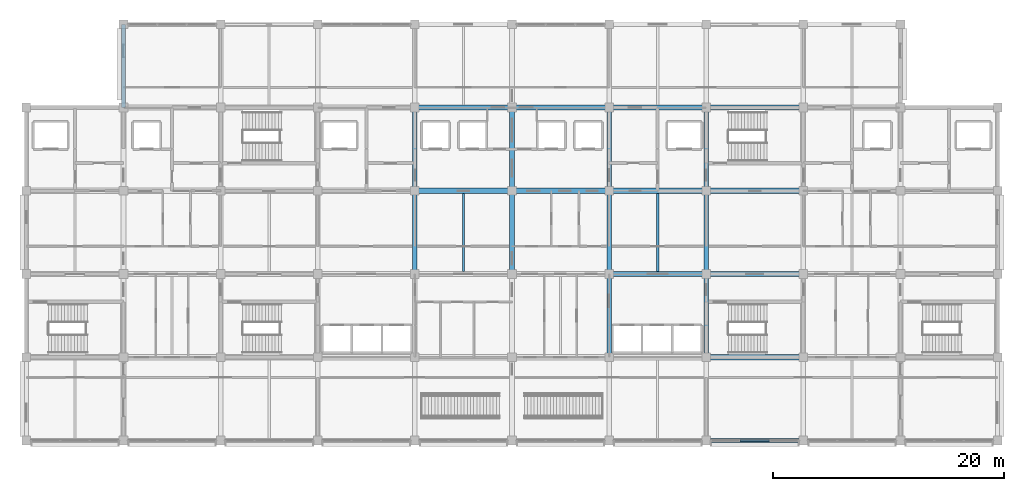
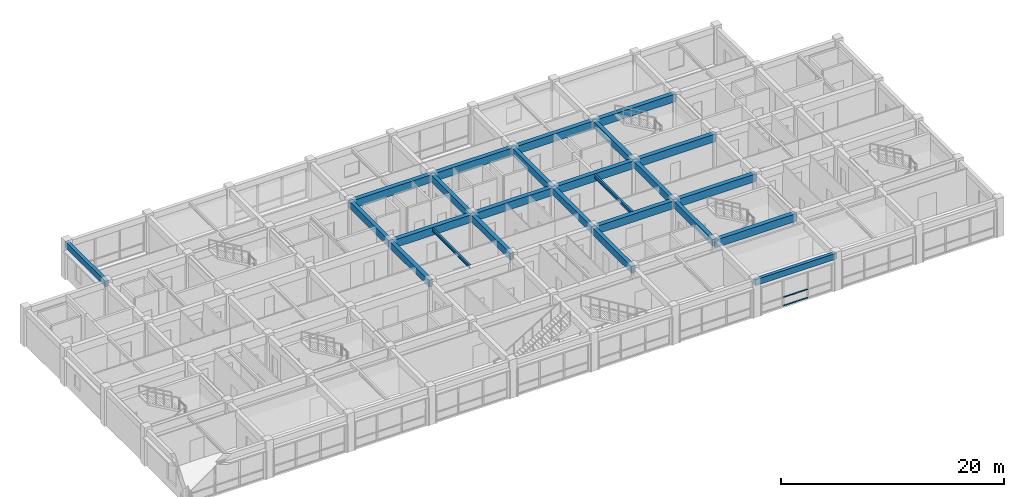
# One storey, part 6 of 27: 25 beams, 3 members, 1 element without a shape of its own.
"""IFC4 building model written with IfcOpenShell, lengths in metres."""

from ifc_helpers import new_model, si_unit, direction, frame, origin, origin_2d, place, context, subcontext, project, spatial, rectangle, i_section, extrude, material, layer, layer_set, material_profile, profile_set, type_object, element, aggregate, save


model = new_model("IFC4")

# Units and contexts
model_context = context("Model", 3, precision=1e-05, world=origin(), true_north=direction((0.0, 1.0)))
body_context = subcontext(model_context, "Body", "Model", "MODEL_VIEW")
ifc_project = project(units=[si_unit("LENGTHUNIT", "METRE"), si_unit("AREAUNIT", "SQUARE_METRE"), si_unit("VOLUMEUNIT", "CUBIC_METRE"), si_unit("PLANEANGLEUNIT", "RADIAN"), si_unit("MASSUNIT", "GRAM", prefix="KILO")], contexts=[model_context])

# Site, building, storey
site_placement = place(None, origin())
site = spatial("IfcSite", under=ifc_project, at=site_placement, CompositionType="ELEMENT")
building_placement = place(site_placement, origin())
building = spatial("IfcBuilding", under=site, at=building_placement, Name="Chengyuan Square Courthouse", CompositionType="ELEMENT")
storey_placement = place(building_placement, frame((0.0, 0.0, 39.300048828125)))
storey = spatial("IfcBuildingStorey", under=building, at=storey_placement, Name="L09", CompositionType="ELEMENT", Elevation=39.300048828125)

# Beams
ifc_material_1 = material(Name="Concrete C40", Category="concrete")
ifc_material_profile_1 = material_profile(ifc_material_1, rectangle(XDim=0.449951171875, YDim=0.85009765625, at=origin_2d()), Name="RC-BM-450x850")
ifc_profile_set_1 = profile_set([ifc_material_profile_1], Name="Concrete C40")
beam_type_1 = type_object("IfcBeamType", Name="BM-01", PredefinedType="USERDEFINED", material=ifc_profile_set_1)
beam_1_placement = place(storey_placement, frame((100.800048828125, 86.39990234375, 3.52490234375), z_axis=(1.0, 0.0, 0.0), x_axis=(0.0, 1.0, 0.0)))
element("IfcBeam", 1, at=beam_1_placement, inside=storey, type_object=beam_type_1, Name="Girder BM-L09-3914", ObjectType="GIRDER", PredefinedType="USERDEFINED", context=body_context, shape_type="SweptSolid", body=[
    extrude(rectangle(XDim=0.449951171875, YDim=0.85009765625, at=origin_2d()), origin(), (0.0, 0.0, 1.0), 8.39990234375),
])
beam_2_placement = place(storey_placement, frame((92.39990234375, 93.60009765625, 3.52490234375), z_axis=(1.0, 0.0, 0.0), x_axis=(0.0, 1.0, 0.0)))
element("IfcBeam", 2, at=beam_2_placement, inside=storey, type_object=beam_type_1, Name="Girder BM-L09-3923", ObjectType="GIRDER", PredefinedType="USERDEFINED", context=body_context, shape_type="SweptSolid", body=[
    extrude(rectangle(XDim=0.449951171875, YDim=0.85009765625, at=origin_2d()), origin(), (0.0, 0.0, 1.0), 8.400146484375),
])
for number, where, z_axis, x_axis, name in (
    (3, (100.800048828125, 93.60009765625, 3.52490234375), (1.0, 0.0, 0.0), (0.0, 1.0, 0.0), "Girder BM-L09-3924"),
    (4, (75.60009765625, 100.800048828125, 3.52490234375), (1.0, 0.0, 0.0), (0.0, 1.0, 0.0), "Girder BM-L09-3931"),
    (5, (84.0, 100.800048828125, 3.52490234375), (1.0, 0.0, 0.0), (0.0, 1.0, 0.0), "Girder BM-L09-3932"),
):
    element("IfcBeam", number, at=place(storey_placement, frame(where, z_axis=z_axis, x_axis=x_axis)), inside=storey, type_object=beam_type_1, Name=name, ObjectType="GIRDER", PredefinedType="USERDEFINED", context=body_context, shape_type="SweptSolid", body=[
        extrude(rectangle(XDim=0.449951171875, YDim=0.85009765625, at=origin_2d()), origin(), (0.0, 0.0, 1.0), 8.39990234375),
    ])
beam_3_placement = place(storey_placement, frame((92.39990234375, 100.800048828125, 3.52490234375), z_axis=(1.0, 0.0, 0.0), x_axis=(0.0, 1.0, 0.0)))
element("IfcBeam", 6, at=beam_3_placement, inside=storey, type_object=beam_type_1, Name="Girder BM-L09-3933", ObjectType="GIRDER", PredefinedType="USERDEFINED", context=body_context, shape_type="SweptSolid", body=[
    extrude(rectangle(XDim=0.449951171875, YDim=0.85009765625, at=origin_2d()), origin(), (0.0, 0.0, 1.0), 8.400146484375),
])
for number, where, z_axis, x_axis, name in (
    (7, (100.800048828125, 100.800048828125, 3.52490234375), (1.0, 0.0, 0.0), (0.0, 1.0, 0.0), "Girder BM-L09-3934"),
    (8, (75.60009765625, 108.0, 3.52490234375), (1.0, 0.0, 0.0), (0.0, 1.0, 0.0), "Girder BM-L09-3941"),
    (9, (84.0, 108.0, 3.52490234375), (1.0, 0.0, 0.0), (0.0, 1.0, 0.0), "Girder BM-L09-3942"),
):
    element("IfcBeam", number, at=place(storey_placement, frame(where, z_axis=z_axis, x_axis=x_axis)), inside=storey, type_object=beam_type_1, Name=name, ObjectType="GIRDER", PredefinedType="USERDEFINED", context=body_context, shape_type="SweptSolid", body=[
        extrude(rectangle(XDim=0.449951171875, YDim=0.85009765625, at=origin_2d()), origin(), (0.0, 0.0, 1.0), 8.39990234375),
    ])
beam_4_placement = place(storey_placement, frame((92.39990234375, 108.0, 3.52490234375), z_axis=(1.0, 0.0, 0.0), x_axis=(0.0, 1.0, 0.0)))
element("IfcBeam", 10, at=beam_4_placement, inside=storey, type_object=beam_type_1, Name="Girder BM-L09-3943", ObjectType="GIRDER", PredefinedType="USERDEFINED", context=body_context, shape_type="SweptSolid", body=[
    extrude(rectangle(XDim=0.449951171875, YDim=0.85009765625, at=origin_2d()), origin(), (0.0, 0.0, 1.0), 8.400146484375),
])
beam_5_placement = place(storey_placement, frame((100.800048828125, 108.0, 3.52490234375), z_axis=(1.0, 0.0, 0.0), x_axis=(0.0, 1.0, 0.0)))
element("IfcBeam", 11, at=beam_5_placement, inside=storey, type_object=beam_type_1, Name="Girder BM-L09-3944", ObjectType="GIRDER", PredefinedType="USERDEFINED", context=body_context, shape_type="SweptSolid", body=[
    extrude(rectangle(XDim=0.449951171875, YDim=0.85009765625, at=origin_2d()), origin(), (0.0, 0.0, 1.0), 8.39990234375),
])
ifc_material_profile_2 = material_profile(ifc_material_1, rectangle(XDim=0.39990234375, YDim=0.75, at=origin_2d()), Name="RC-BM-400x750")
ifc_profile_set_2 = profile_set([ifc_material_profile_2], Name="Concrete C40")
beam_type_2 = type_object("IfcBeamType", Name="BM-02", PredefinedType="USERDEFINED", material=ifc_profile_set_2)
for number, where, z_axis, x_axis, name in (
    (12, (75.60009765625, 93.60009765625, 3.574951171875), (0.0, 1.0, 0.0), (-1.0, 0.0, 0.0), "Girder BM-L09-3976"),
    (13, (75.60009765625, 100.800048828125, 3.574951171875), (0.0, 1.0, 0.0), (-1.0, 0.0, 0.0), "Girder BM-L09-3977"),
    (14, (84.0, 93.60009765625, 3.574951171875), (0.0, 1.0, 0.0), (-1.0, 0.0, 0.0), "Girder BM-L09-3981"),
    (15, (84.0, 100.800048828125, 3.574951171875), (0.0, 1.0, 0.0), (-1.0, 0.0, 0.0), "Girder BM-L09-3982"),
):
    element("IfcBeam", number, at=place(storey_placement, frame(where, z_axis=z_axis, x_axis=x_axis)), inside=storey, type_object=beam_type_2, Name=name, ObjectType="GIRDER", PredefinedType="USERDEFINED", context=body_context, shape_type="SweptSolid", body=[
        extrude(rectangle(XDim=0.39990234375, YDim=0.75, at=origin_2d()), origin(), (0.0, 0.0, 1.0), 7.199951171875),
    ])
beam_6_placement = place(storey_placement, frame((92.39990234375, 86.39990234375, 3.574951171875), z_axis=(0.0, 1.0, 0.0), x_axis=(-1.0, 0.0, 0.0)))
element("IfcBeam", 16, at=beam_6_placement, inside=storey, type_object=beam_type_2, Name="Girder BM-L09-3985", ObjectType="GIRDER", PredefinedType="USERDEFINED", context=body_context, shape_type="SweptSolid", body=[
    extrude(rectangle(XDim=0.39990234375, YDim=0.75, at=origin_2d()), origin(), (0.0, 0.0, 1.0), 7.2001953125),
])
for number, where, z_axis, x_axis, name in (
    (17, (92.39990234375, 93.60009765625, 3.574951171875), (0.0, 1.0, 0.0), (-1.0, 0.0, 0.0), "Girder BM-L09-3986"),
    (18, (92.39990234375, 100.800048828125, 3.574951171875), (0.0, 1.0, 0.0), (-1.0, 0.0, 0.0), "Girder BM-L09-3987"),
):
    element("IfcBeam", number, at=place(storey_placement, frame(where, z_axis=z_axis, x_axis=x_axis)), inside=storey, type_object=beam_type_2, Name=name, ObjectType="GIRDER", PredefinedType="USERDEFINED", context=body_context, shape_type="SweptSolid", body=[
        extrude(rectangle(XDim=0.39990234375, YDim=0.75, at=origin_2d()), origin(), (0.0, 0.0, 1.0), 7.199951171875),
    ])
beam_7_placement = place(storey_placement, frame((100.800048828125, 86.39990234375, 3.574951171875), z_axis=(0.0, 1.0, 0.0), x_axis=(-1.0, 0.0, 0.0)))
element("IfcBeam", 19, at=beam_7_placement, inside=storey, type_object=beam_type_2, Name="Girder BM-L09-3990", ObjectType="GIRDER", PredefinedType="USERDEFINED", context=body_context, shape_type="SweptSolid", body=[
    extrude(rectangle(XDim=0.39990234375, YDim=0.75, at=origin_2d()), origin(), (0.0, 0.0, 1.0), 7.2001953125),
])
for number, where, z_axis, x_axis, name in (
    (20, (100.800048828125, 93.60009765625, 3.574951171875), (0.0, 1.0, 0.0), (-1.0, 0.0, 0.0), "Girder BM-L09-3991"),
    (21, (100.800048828125, 100.800048828125, 3.574951171875), (0.0, 1.0, 0.0), (-1.0, 0.0, 0.0), "Girder BM-L09-3992"),
):
    element("IfcBeam", number, at=place(storey_placement, frame(where, z_axis=z_axis, x_axis=x_axis)), inside=storey, type_object=beam_type_2, Name=name, ObjectType="GIRDER", PredefinedType="USERDEFINED", context=body_context, shape_type="SweptSolid", body=[
        extrude(rectangle(XDim=0.39990234375, YDim=0.75, at=origin_2d()), origin(), (0.0, 0.0, 1.0), 7.199951171875),
    ])
ifc_material_profile_3 = material_profile(ifc_material_1, rectangle(XDim=0.35009765625, YDim=0.64990234375, at=origin_2d()), Name="RC-BM-350x650")
ifc_profile_set_3 = profile_set([ifc_material_profile_3], Name="Concrete C40")
beam_type_3 = type_object("IfcBeamType", Name="BM-03", PredefinedType="SPANDREL", material=ifc_profile_set_3)
beam_8_placement = place(storey_placement, frame((100.800048828125, 79.199951171875, 3.625), z_axis=(1.0, 0.0, 0.0), x_axis=(0.0, 1.0, 0.0)))
element("IfcBeam", 22, at=beam_8_placement, inside=storey, type_object=beam_type_3, Name="Girder BM-L09-3904", PredefinedType="SPANDREL", context=body_context, shape_type="SweptSolid", body=[
    extrude(rectangle(XDim=0.35009765625, YDim=0.64990234375, at=origin_2d()), origin(), (0.0, 0.0, 1.0), 8.39990234375),
])
beam_9_placement = place(storey_placement, frame((50.39990234375, 108.0, 3.625), z_axis=(0.0, 1.0, 0.0), x_axis=(-1.0, 0.0, 0.0)))
element("IfcBeam", 23, at=beam_9_placement, inside=storey, type_object=beam_type_3, Name="Girder BM-L09-3963", PredefinedType="SPANDREL", context=body_context, shape_type="SweptSolid", body=[
    extrude(rectangle(XDim=0.35009765625, YDim=0.64990234375, at=origin_2d()), origin(), (0.0, 0.0, 1.0), 7.199951171875),
])
ifc_material_2 = material(Name="Steel Q355B", Category="steel")
ifc_material_profile_4 = material_profile(ifc_material_2, i_section(OverallWidth=0.199951171875, OverallDepth=0.39990234375, WebThickness=0.008056640625, FlangeThickness=0.012939453125, at=origin_2d()), Name="HN 400x200x8x13")
ifc_profile_set_4 = profile_set([ifc_material_profile_4], Name="Steel Q355B")
beam_type_4 = type_object("IfcBeamType", Name="BM-07", PredefinedType="BEAM", material=ifc_profile_set_4)
beam_10_placement = place(storey_placement, frame((96.60009765625, 93.824951171875, 3.75), z_axis=(0.0, 1.0, 0.0), x_axis=(-1.0, 0.0, 0.0)))
element("IfcBeam", 24, at=beam_10_placement, inside=storey, type_object=beam_type_4, Name="Secondary Floor Beam SBM-L09-4020", PredefinedType="BEAM", context=body_context, shape_type="SweptSolid", body=[
    extrude(i_section(OverallWidth=0.199951171875, OverallDepth=0.39990234375, WebThickness=0.008056640625, FlangeThickness=0.012939453125, at=origin_2d()), origin(), (0.0, 0.0, 1.0), 6.75),
])
ifc_material_profile_5 = material_profile(ifc_material_2, i_section(OverallWidth=0.175048828125, OverallDepth=0.35009765625, WebThickness=0.007080078125, FlangeThickness=0.010986328125, at=origin_2d()), Name="HN 350x175x7x11")
ifc_profile_set_5 = profile_set([ifc_material_profile_5], Name="Steel Q355B")
beam_type_5 = type_object("IfcBeamType", Name="BM-08", PredefinedType="BEAM", material=ifc_profile_set_5)
beam_11_placement = place(storey_placement, frame((79.800048828125, 93.824951171875, 3.77490234375), z_axis=(0.0, 1.0, 0.0), x_axis=(-1.0, 0.0, 0.0)))
element("IfcBeam", 25, at=beam_11_placement, inside=storey, type_object=beam_type_5, Name="Secondary Floor Beam SBM-L09-4016", PredefinedType="BEAM", context=body_context, shape_type="SweptSolid", body=[
    extrude(i_section(OverallWidth=0.175048828125, OverallDepth=0.35009765625, WebThickness=0.007080078125, FlangeThickness=0.010986328125, at=origin_2d()), origin(), (0.0, 0.0, 1.0), 6.75),
])

# Curtain wall, members
ifc_material_3 = material(Name="Unitised Aluminium and Triple Low-E Glass", Category="aluminium")
ifc_layer = layer(ifc_material_3, 0.159912109375)
ifc_layer_set = layer_set([ifc_layer], Name="Unitised Aluminium and Triple Low-E Glass")
curtain_wall_type = type_object("IfcCurtainWallType", Name="CW-01", PredefinedType="USERDEFINED", material=ifc_layer_set)
curtain_wall_placement = place(storey_placement, origin())
curtain_wall = element("IfcCurtainWall", 26, at=curtain_wall_placement, inside=storey, type_object=curtain_wall_type, Name="Unitised Curtain Wall CW-L09-244", ObjectType="UNITISED CURTAIN WALL", PredefinedType="USERDEFINED")
ifc_material_4 = material(Name="Aluminium 6063-T6 Frame", Category="aluminium")
ifc_material_profile_6 = material_profile(ifc_material_4, rectangle(XDim=0.159912109375, YDim=0.06005859375, at=origin_2d()), Name="CW-TRN-60x120")
ifc_profile_set_6 = profile_set([ifc_material_profile_6], Name="Aluminium 6063-T6 Frame")
member_type = type_object("IfcMemberType", Name="CWT-01", PredefinedType="USERDEFINED", material=ifc_profile_set_6)
member_1_placement = place(storey_placement, frame((103.7548828125, 79.199951171875, 0.030029296875), z_axis=(1.0, 0.0, 0.0), x_axis=(0.0, 1.0, 0.0)))
member_1 = element("IfcMember", 27, at=member_1_placement, type_object=member_type, Name="CW-01 transom 2.1", ObjectType="TRANSOM", PredefinedType="USERDEFINED", context=body_context, shape_type="SweptSolid", body=[
    extrude(rectangle(XDim=0.159912109375, YDim=0.06005859375, at=origin_2d()), origin(), (0.0, 0.0, 1.0), 2.490234375),
])
member_2_placement = place(storey_placement, frame((103.7548828125, 79.199951171875, 0.949951171875), z_axis=(1.0, 0.0, 0.0), x_axis=(0.0, 1.0, 0.0)))
member_2 = element("IfcMember", 28, at=member_2_placement, type_object=member_type, Name="CW-01 transom 2.2", ObjectType="TRANSOM", PredefinedType="USERDEFINED", context=body_context, shape_type="SweptSolid", body=[
    extrude(rectangle(XDim=0.159912109375, YDim=0.06005859375, at=origin_2d()), origin(), (0.0, 0.0, 1.0), 2.490234375),
])
member_3_placement = place(storey_placement, frame((103.7548828125, 79.199951171875, 3.27001953125), z_axis=(1.0, 0.0, 0.0), x_axis=(0.0, 1.0, 0.0)))
member_3 = element("IfcMember", 29, at=member_3_placement, type_object=member_type, Name="CW-01 transom 2.3", ObjectType="TRANSOM", PredefinedType="USERDEFINED", context=body_context, shape_type="SweptSolid", body=[
    extrude(rectangle(XDim=0.159912109375, YDim=0.06005859375, at=origin_2d()), origin(), (0.0, 0.0, 1.0), 2.490234375),
])
aggregate(curtain_wall, [member_1, member_2, member_3])

save(model, "model.ifc")
